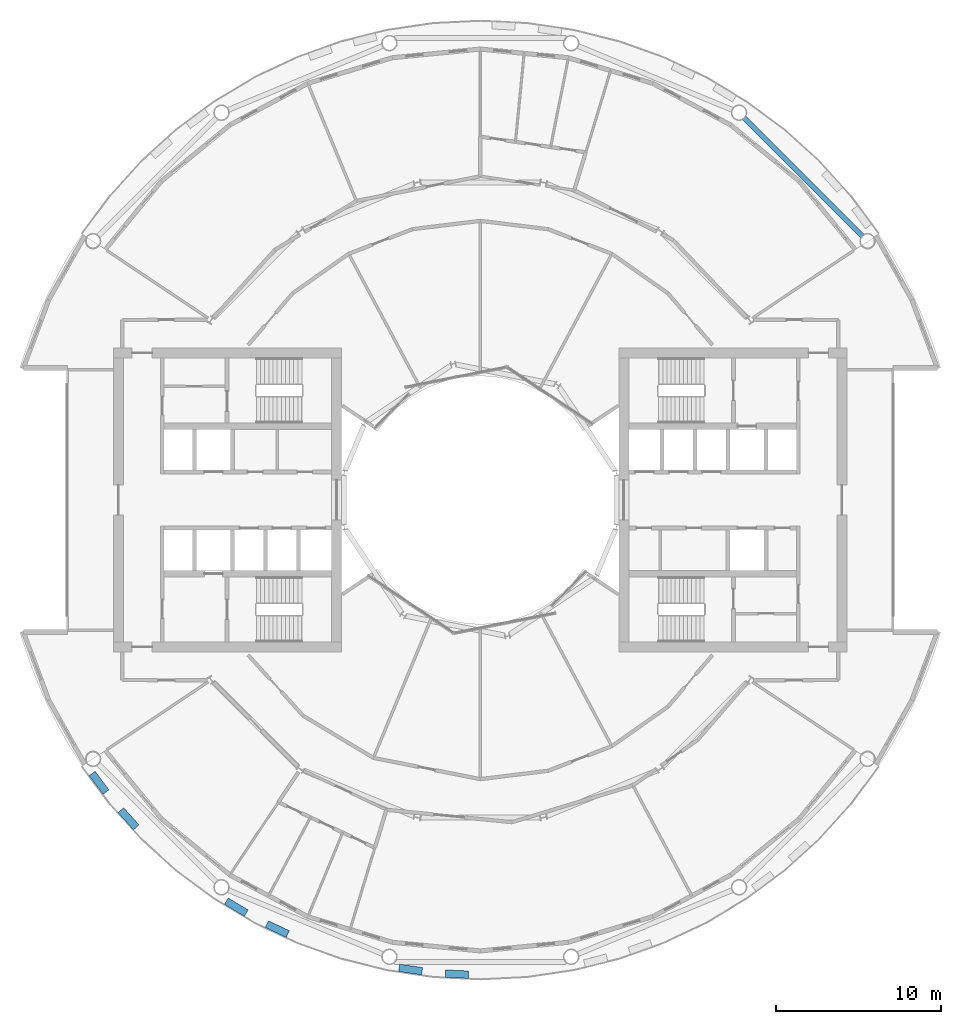
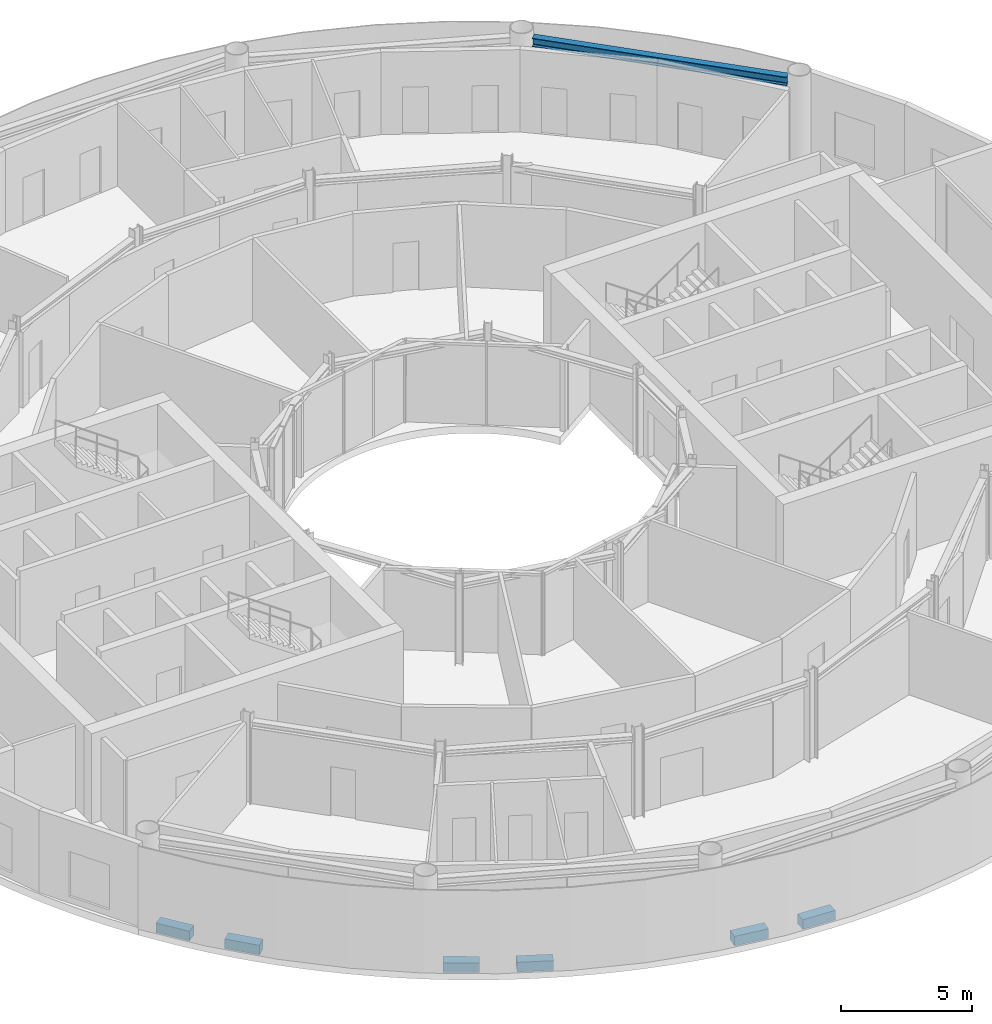
# One storey, part 10 of 21: 6 slabs, 1 beam.
"""IFC4 building model written with IfcOpenShell, lengths in metres."""

from ifc_helpers import new_model, si_unit, direction, frame, origin, origin_2d, place, context, subcontext, project, spatial, polyline, i_section, outline, extrude, material, layer, layer_set, material_profile, profile_set, type_object, element, save


model = new_model("IFC4")

# Units and contexts
model_context = context("Model", 3, precision=1e-05, world=origin(), true_north=direction((0.0, 1.0)))
body_context = subcontext(model_context, "Body", "Model", "MODEL_VIEW")
ifc_project = project(units=[si_unit("LENGTHUNIT", "METRE"), si_unit("AREAUNIT", "SQUARE_METRE"), si_unit("VOLUMEUNIT", "CUBIC_METRE"), si_unit("PLANEANGLEUNIT", "RADIAN"), si_unit("MASSUNIT", "GRAM", prefix="KILO")], contexts=[model_context])

# Site, building, storey
site_placement = place(None, origin())
site = spatial("IfcSite", under=ifc_project, at=site_placement, CompositionType="ELEMENT")
building_placement = place(site_placement, origin())
building = spatial("IfcBuilding", under=site, at=building_placement, Name="Maasbend Ring Residences", CompositionType="ELEMENT")
storey_placement = place(building_placement, frame((0.0, 0.0, 107.449951171875)))
storey = spatial("IfcBuildingStorey", under=building, at=storey_placement, Name="L30", CompositionType="ELEMENT", Elevation=107.449951171875)

# Beam
ifc_material_1 = material(Name="Steel S355J2", Category="steel")
ifc_material_profile = material_profile(ifc_material_1, i_section(OverallWidth=0.300048828125, OverallDepth=0.39990234375, WebThickness=0.013427734375, FlangeThickness=0.02392578125, FilletRadius=0.027099609375, at=origin_2d()), Name="HEB 400")
ifc_profile_set = profile_set([ifc_material_profile], Name="Steel S355J2")
beam_type = type_object("IfcBeamType", Name="Spandrel ring beam HEB 400", PredefinedType="SPANDREL", material=ifc_profile_set)
beam_placement = place(storey_placement, frame((23.124267578125, 15.990234375, 3.650146484375), z_axis=(-0.707106781187, 0.707106781187, 0.0), x_axis=(-0.707106781187, -0.707106781187, 0.0)))
element("IfcBeam", 1, at=beam_placement, inside=storey, type_object=beam_type, Name="Spandrel ring beam", PredefinedType="SPANDREL", context=body_context, shape_type="SweptSolid", body=[
    extrude(i_section(OverallWidth=0.300048828125, OverallDepth=0.39990234375, WebThickness=0.013427734375, FlangeThickness=0.02392578125, FilletRadius=0.027099609375, at=origin_2d()), origin(), (0.0, 0.0, 1.0), 10.089111328125),
])

# Slabs
ifc_material_2 = material(Name="Planting with climbing greenery")
ifc_layer = layer(ifc_material_2, 0.449951171875)
ifc_layer_set = layer_set([ifc_layer], Name="PLANTER-LG")
slab_type = type_object("IfcSlabType", Name="PLANTER-LG", PredefinedType="USERDEFINED", material=ifc_layer_set)
slab_1_placement = place(storey_placement, frame((0.0, 0.0, -0.030029296875)))
element("IfcSlab", 2, at=slab_1_placement, inside=storey, type_object=slab_type, Name="Planter with climbing greenery 1", ObjectType="PLANTER", PredefinedType="USERDEFINED", context=body_context, shape_type="SweptSolid", body=[
    extrude(outline(polyline([(-23.681884765625, -16.69189453125), (-22.847900390625, -17.81689453125), (-22.487060546875, -17.549072265625), (-23.321044921875, -16.424072265625), (-23.681884765625, -16.69189453125)])), origin(), (0.0, 0.0, 1.0), 0.4501953125),
])
slab_2_placement = place(storey_placement, frame((0.0, 0.0, -0.030029296875)))
element("IfcSlab", 3, at=slab_2_placement, inside=storey, type_object=slab_type, Name="Planter with climbing greenery 2", ObjectType="PLANTER", PredefinedType="USERDEFINED", context=body_context, shape_type="SweptSolid", body=[
    extrude(outline(polyline([(-21.931884765625, -18.93310546875), (-20.991943359375, -19.969970703125), (-20.657958984375, -19.66796875), (-21.597900390625, -18.631103515625), (-21.931884765625, -18.93310546875)])), origin(), (0.0, 0.0, 1.0), 0.4501953125),
])
slab_3_placement = place(storey_placement, frame((0.0, 0.0, -0.030029296875)))
element("IfcSlab", 4, at=slab_3_placement, inside=storey, type_object=slab_type, Name="Planter with climbing greenery 3", ObjectType="PLANTER", PredefinedType="USERDEFINED", context=body_context, shape_type="SweptSolid", body=[
    extrude(outline(polyline([(-15.490966796875, -24.48388671875), (-14.291015625, -25.2041015625), (-14.05908203125, -24.818115234375), (-15.260009765625, -24.097900390625), (-15.490966796875, -24.48388671875)])), origin(), (0.0, 0.0, 1.0), 0.4501953125),
])
slab_4_placement = place(storey_placement, frame((0.0, 0.0, -0.030029296875)))
element("IfcSlab", 5, at=slab_4_placement, inside=storey, type_object=slab_type, Name="Planter with climbing greenery 4", ObjectType="PLANTER", PredefinedType="USERDEFINED", context=body_context, shape_type="SweptSolid", body=[
    extrude(outline(polyline([(-13.01708984375, -25.885009765625), (-11.7509765625, -26.48291015625), (-11.55908203125, -26.076904296875), (-12.824951171875, -25.47802734375), (-13.01708984375, -25.885009765625)])), origin(), (0.0, 0.0, 1.0), 0.4501953125),
])
slab_5_placement = place(storey_placement, frame((0.0, 0.0, -0.030029296875)))
element("IfcSlab", 6, at=slab_5_placement, inside=storey, type_object=slab_type, Name="Planter with climbing greenery 5", ObjectType="PLANTER", PredefinedType="USERDEFINED", context=body_context, shape_type="SweptSolid", body=[
    extrude(outline(polyline([(-4.94189453125, -28.549072265625), (-3.55810546875, -28.75390625), (-3.491943359375, -28.30908203125), (-4.8759765625, -28.10400390625), (-4.94189453125, -28.549072265625)])), origin(), (0.0, 0.0, 1.0), 0.4501953125),
])
slab_6_placement = place(storey_placement, frame((0.0, 0.0, -0.030029296875)))
element("IfcSlab", 7, at=slab_6_placement, inside=storey, type_object=slab_type, Name="Planter with climbing greenery 6", ObjectType="PLANTER", PredefinedType="USERDEFINED", context=body_context, shape_type="SweptSolid", body=[
    extrude(outline(polyline([(-2.1201171875, -28.89599609375), (-0.721923828125, -28.965087890625), (-0.699951171875, -28.514892578125), (-2.097900390625, -28.446044921875), (-2.1201171875, -28.89599609375)])), origin(), (0.0, 0.0, 1.0), 0.4501953125),
])

save(model, "model.ifc")
